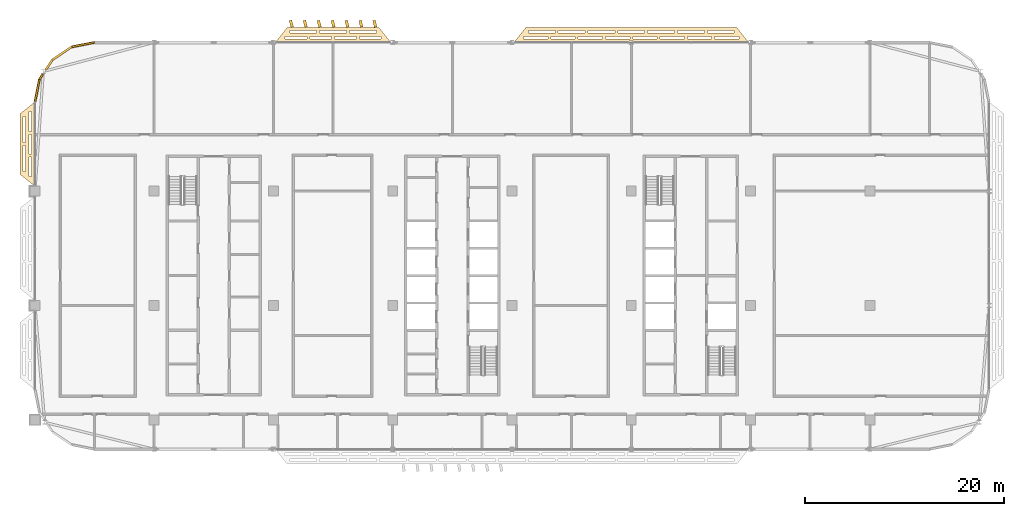
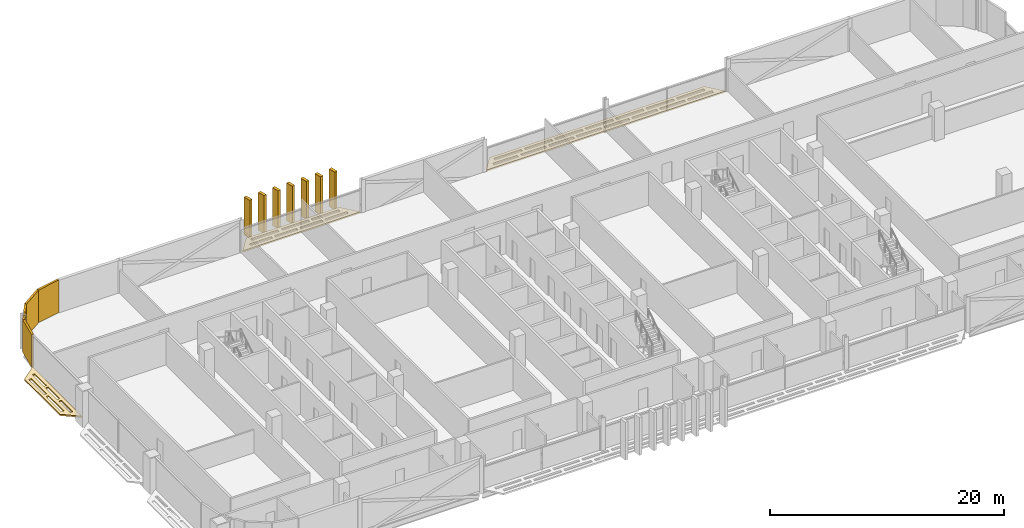
# One storey, part 31 of 33: 15 coverings.
"""IFC4 building model written with IfcOpenShell, lengths in metres."""

import ifcopenshell
import ifcopenshell.guid

model = None  # the IFC model being written
_history = None  # IfcOwnerHistory: only IFC2X3 demands one
_inside = {}  # id of a spatial element -> (the spatial element, [elements in it])
_under = {}  # id of a project, library or spatial element -> (it, [spatial elements below it])
_declared = {}  # id of a project -> (the project, [libraries it declares])
_typed = {}  # id of a type object -> (the type object, [elements of that type])
_made_of = {}  # id of a material, layer set ... -> (it, [elements and type objects made of it])


def new_model(schema):
    """Start an empty IFC model of exactly this schema.

    Asked for "IFC4X3", IfcOpenShell would pick the latest addendum, in which some entities
    have other attributes; the version numbers below select the first issue.
    IFC2X3 requires an IfcOwnerHistory on every rooted entity: one is made here for all.
    """
    global model, _history
    if schema == "IFC4X3":
        model = ifcopenshell.file(schema_version=(4, 3, 0, 0))
    else:
        model = ifcopenshell.file(schema=schema)
    _inside.clear()
    _under.clear()
    _declared.clear()
    _typed.clear()
    _made_of.clear()
    _history = None
    if model.schema == "IFC2X3":
        org = make("IfcOrganization", Name="unknown")
        user = make(
            "IfcPersonAndOrganization",
            ThePerson=make("IfcPerson", FamilyName="unknown"),
            TheOrganization=org,
        )
        app = make(
            "IfcApplication",
            ApplicationDeveloper=org,
            Version="unknown",
            ApplicationFullName="unknown",
            ApplicationIdentifier="unknown",
        )
        _history = make(
            "IfcOwnerHistory",
            OwningUser=user,
            OwningApplication=app,
            ChangeAction="ADDED",
            CreationDate=0,
        )
    return model


def make(cls, **values):
    """One entity of the class cls with the attributes given. An attribute that is None is left unset."""
    return model.create_entity(
        cls, **{name: value for name, value in values.items() if value is not None}
    )


def rooted(cls, **values):
    """An entity with a GlobalId (a new one), such as an element, a storey or a relation."""
    return make(cls, GlobalId=ifcopenshell.guid.new(), OwnerHistory=_history, **values)


def si_unit(unit_type, name, prefix=None):
    """IfcSIUnit, for example si_unit("LENGTHUNIT", "METRE", prefix="MILLI")."""
    return make("IfcSIUnit", UnitType=unit_type, Prefix=prefix, Name=name)


def assignment(units):
    """IfcUnitAssignment: the units of a project."""
    return None if units is None else make("IfcUnitAssignment", Units=units)


def point(xyz):
    """IfcCartesianPoint."""
    return None if xyz is None else make("IfcCartesianPoint", Coordinates=xyz)


def direction(xyz):
    """IfcDirection."""
    return None if xyz is None else make("IfcDirection", DirectionRatios=xyz)


def frame(location, z_axis=None, x_axis=None):
    """IfcAxis2Placement3D, a coordinate frame: its origin and axes. An axis left out is left unset."""
    return make(
        "IfcAxis2Placement3D",
        Location=point(location),
        Axis=direction(z_axis),
        RefDirection=direction(x_axis),
    )


def frame_2d(location, x_axis=None):
    """IfcAxis2Placement2D, a coordinate frame in the plane: its origin and x axis."""
    return make(
        "IfcAxis2Placement2D", Location=point(location), RefDirection=direction(x_axis)
    )


def origin():
    """The frame at (0, 0, 0) with its axes left unset."""
    return frame((0.0, 0.0, 0.0))


def origin_2d():
    """The frame at (0, 0) in the plane with its x axis left unset."""
    return frame_2d((0.0, 0.0))


def place(relative_to, where):
    """IfcLocalPlacement: puts the frame where relative to a parent placement (None: the world)."""
    return make(
        "IfcLocalPlacement", PlacementRelTo=relative_to, RelativePlacement=where
    )


def context(
    kind, dimensions, precision=None, world=None, true_north=None, identifier=None
):
    """IfcGeometricRepresentationContext, for example the 3D "Model" context."""
    return make(
        "IfcGeometricRepresentationContext",
        ContextIdentifier=identifier,
        ContextType=kind,
        CoordinateSpaceDimension=dimensions,
        Precision=precision,
        WorldCoordinateSystem=world,
        TrueNorth=true_north,
    )


def subcontext(parent, identifier, kind, view, scale=None):
    """IfcGeometricRepresentationSubContext, for example "Body" below "Model"."""
    return make(
        "IfcGeometricRepresentationSubContext",
        ContextIdentifier=identifier,
        ContextType=kind,
        ParentContext=parent,
        TargetScale=scale,
        TargetView=view,
    )


def project(units=None, contexts=None):
    """IfcProject with its units and contexts."""
    return rooted(
        "IfcProject",
        Name="project",
        RepresentationContexts=contexts,
        UnitsInContext=assignment(units),
    )


def spatial(cls, under=None, at=None, **own):
    """A site, building, storey or space (cls), placed at a placement, below another one or the project."""
    s = rooted(cls, ObjectPlacement=at, **own)
    if under is not None:
        _under.setdefault(under.id(), (under, []))[1].append(s)
    return s


def polyline(points):
    """IfcPolyline through the points."""
    return make("IfcPolyline", Points=[point(p) for p in points])


def profile(cls, at=None, kind="AREA", **sizes):
    """A parametric profile (cls). Its sizes go by their IFC names, for example OverallWidth=200.0."""
    return make(cls, ProfileType=kind, Position=at, **sizes)


def rectangle(**sizes):
    """IfcRectangleProfileDef."""
    return profile("IfcRectangleProfileDef", **sizes)


def outline(outer, holes=None, kind="AREA"):
    """IfcArbitraryClosedProfileDef: a profile drawn as a closed curve; with holes, ...WithVoids."""
    if holes is None:
        return make("IfcArbitraryClosedProfileDef", ProfileType=kind, OuterCurve=outer)
    return make(
        "IfcArbitraryProfileDefWithVoids",
        ProfileType=kind,
        OuterCurve=outer,
        InnerCurves=holes,
    )


def extrude(swept, where, along, depth):
    """IfcExtrudedAreaSolid: the profile swept, set in the frame where, extruded along a direction by depth."""
    return make(
        "IfcExtrudedAreaSolid",
        SweptArea=swept,
        Position=where,
        ExtrudedDirection=direction(along),
        Depth=depth,
    )


def shape(context_of_items, identifier, shape_type, items):
    """IfcShapeRepresentation: the items that make up one representation, for example the "Body"."""
    return make(
        "IfcShapeRepresentation",
        ContextOfItems=context_of_items,
        RepresentationIdentifier=identifier,
        RepresentationType=shape_type,
        Items=items,
    )


def material(Name=None, Category=None):
    """IfcMaterial."""
    return make("IfcMaterial", Name=Name, Category=Category)


def layer(
    of_material, thickness, ventilated=None, Name=None, Category=None, Priority=None
):
    """IfcMaterialLayer: one layer of a wall or slab, of a material (None: an air gap)."""
    return make(
        "IfcMaterialLayer",
        Material=of_material,
        LayerThickness=thickness,
        IsVentilated=ventilated,
        Name=Name,
        Category=Category,
        Priority=Priority,
    )


def layer_set(layers, Name=None):
    """IfcMaterialLayerSet."""
    return make("IfcMaterialLayerSet", MaterialLayers=layers, LayerSetName=Name)


def made_of(thing, what):
    """Note that an element or type object is made of a material, layer set ...; save() writes the relation."""
    if what is not None:
        _made_of.setdefault(what.id(), (what, []))[1].append(thing)
    return thing


def type_object(cls, material=None, **own):
    """A type object (cls), such as IfcWallType, which elements share."""
    return made_of(rooted(cls, **own), material)


def element(
    cls,
    number,
    at=None,
    inside=None,
    cuts=None,
    type_object=None,
    material=None,
    context=None,
    identifier="Body",
    shape_type=None,
    held_by="IfcProductDefinitionShape",
    body=None,
    shapes=None,
    **own,
):
    """One element of the class cls, such as IfcWall. Its Tag is "e" and its number.

    at: its placement. inside: the storey or other place that contains it. cuts: it is an
    opening in that element (IfcRelVoidsElement). A single representation is given by context,
    identifier, shape_type and body (its items); several are given by shapes. held_by: the class
    of the entity that holds the representations. save() writes the other relations.
    """
    e = rooted(cls, Tag="e%d" % number, ObjectPlacement=at, **own)
    if body is not None:
        shapes = [shape(context, identifier, shape_type, body)]
    if shapes is not None:
        e.Representation = make(held_by, Representations=shapes)
    if inside is not None:
        _inside.setdefault(inside.id(), (inside, []))[1].append(e)
    if cuts is not None:
        rooted(
            "IfcRelVoidsElement", RelatingBuildingElement=cuts, RelatedOpeningElement=e
        )
    if type_object is not None:
        _typed.setdefault(type_object.id(), (type_object, []))[1].append(e)
    return made_of(e, material)


def aggregate(whole, parts):
    """IfcRelAggregates: a whole, such as a stair, and the parts it consists of."""
    return rooted("IfcRelAggregates", RelatingObject=whole, RelatedObjects=parts)


def save(model, path):
    """Write the relations noted so far, then the file.

    IfcRelAggregates (storeys below a building ...), IfcRelContainedInSpatialStructure (elements
    in a storey), IfcRelDefinesByType, IfcRelAssociatesMaterial and IfcRelDeclares: one each for
    every whole, place, type object, material and project.
    """
    for whole, parts in _under.values():
        aggregate(whole, parts)
    for where, things in _inside.values():
        rooted(
            "IfcRelContainedInSpatialStructure",
            RelatedElements=things,
            RelatingStructure=where,
        )
    for kind, things in _typed.values():
        rooted("IfcRelDefinesByType", RelatedObjects=things, RelatingType=kind)
    for what, things in _made_of.values():
        rooted("IfcRelAssociatesMaterial", RelatedObjects=things, RelatingMaterial=what)
    for by, libraries in _declared.values():
        rooted("IfcRelDeclares", RelatingContext=by, RelatedDefinitions=libraries)
    model.write(path)


model = new_model("IFC4")

# Units and contexts
model_context = context("Model", 3, precision=1e-05, world=origin(), true_north=direction((0.0, 1.0)))
body_context = subcontext(model_context, "Body", "Model", "MODEL_VIEW")
ifc_project = project(units=[si_unit("LENGTHUNIT", "METRE"), si_unit("AREAUNIT", "SQUARE_METRE"), si_unit("VOLUMEUNIT", "CUBIC_METRE"), si_unit("PLANEANGLEUNIT", "RADIAN"), si_unit("MASSUNIT", "GRAM", prefix="KILO")], contexts=[model_context])

# Site, building, storey
site_placement = place(None, origin())
site = spatial("IfcSite", under=ifc_project, at=site_placement, CompositionType="ELEMENT")
building_placement = place(site_placement, origin())
building = spatial("IfcBuilding", under=site, at=building_placement, Name="Mahtab Terrace Research Tower", CompositionType="ELEMENT")
storey_placement = place(building_placement, frame((0.0, 0.0, 255.199951171875)))
storey = spatial("IfcBuildingStorey", under=building, at=storey_placement, Name="L62", CompositionType="ELEMENT", Elevation=255.199951171875)

# Coverings
ifc_material_1 = material(Name="Black aluminium cladding panel", Category="aluminium")
ifc_layer_1 = layer(ifc_material_1, 0.199951171875)
ifc_layer_set_1 = layer_set([ifc_layer_1], Name="Black metal corner cladding 200")
covering_type_1 = type_object("IfcCoveringType", Name="Black metal corner cladding 200", PredefinedType="CLADDING", material=ifc_layer_set_1)
for number, where, z_axis, x_axis, name in (
    (1, (-37.14794921875, 26.244384765625, 0.0), (0.0, 0.0, 1.0), (-0.980760981187, -0.195212442692, 0.0), "Corner cladding L62 12"),
    (2, (-39.26953125, 25.365966796875, 0.0), (0.0, 0.0, 1.0), (-0.831655794326, -0.555291490808, 0.0), "Corner cladding L62 13"),
):
    element("IfcCovering", number, at=place(storey_placement, frame(where, z_axis=z_axis, x_axis=x_axis)), inside=storey, type_object=covering_type_1, Name=name, PredefinedType="CLADDING", context=body_context, shape_type="SweptSolid", body=[
        extrude(rectangle(XDim=2.30126953125, YDim=0.199951171875, at=origin_2d()), origin(), (0.0, 0.0, 1.0), 3.39990234375),
    ])
covering_1_placement = place(storey_placement, frame((-40.584716796875, 24.2041015625, 0.0), z_axis=(0.0, 0.0, 1.0), x_axis=(-0.555291490808, -0.831655794326, 0.0)))
element("IfcCovering", 3, at=covering_1_placement, inside=storey, type_object=covering_type_1, Name="Corner cladding L62 14", PredefinedType="CLADDING", context=body_context, shape_type="SweptSolid", body=[
    extrude(rectangle(XDim=1.19140625, YDim=0.199951171875, at=origin_2d()), origin(), (0.0, 0.0, 1.0), 3.39990234375),
])
covering_2_placement = place(storey_placement, frame((-41.372314453125, 23.0244140625, 0.0), z_axis=(0.0, 0.0, 1.0), x_axis=(-0.555291490808, -0.831655794326, 0.0)))
element("IfcCovering", 4, at=covering_2_placement, inside=storey, type_object=covering_type_1, Name="Corner cladding L62 15", PredefinedType="CLADDING", context=body_context, shape_type="SweptSolid", body=[
    extrude(rectangle(XDim=0.57470703125, YDim=0.199951171875, at=origin_2d()), origin(), (0.0, 0.0, 1.0), 3.39990234375),
])
covering_3_placement = place(storey_placement, frame((-41.771484375, 21.62109375, 0.0), z_axis=(0.0, 0.0, 1.0), x_axis=(-0.195212442692, -0.980760981187, 0.0)))
element("IfcCovering", 5, at=covering_3_placement, inside=storey, type_object=covering_type_1, Name="Corner cladding L62 16", PredefinedType="CLADDING", context=body_context, shape_type="SweptSolid", body=[
    extrude(rectangle(XDim=2.30126953125, YDim=0.199951171875, at=origin_2d()), origin(), (0.0, 0.0, 1.0), 3.39990234375),
])
ifc_material_2 = material(Name="Black anodised aluminium", Category="aluminium")
ifc_layer_2 = layer(ifc_material_2, 0.14990234375)
ifc_layer_set_2 = layer_set([ifc_layer_2], Name="Horizontal sunshade band")
covering_type_2 = type_object("IfcCoveringType", Name="Horizontal sunshade band", PredefinedType="CLADDING", material=ifc_layer_set_2)
covering_4_placement = place(storey_placement, frame((0.0, 0.0, -0.14990234375)))
element("IfcCovering", 6, at=covering_4_placement, inside=storey, type_object=covering_type_2, Name="Sunshade band L62 6", PredefinedType="CLADDING", context=body_context, shape_type="SweptSolid", body=[
    extrude(outline(polyline([(29.806884765625, 26.472900390625), (6.193115234375, 26.472900390625), (7.39306640625, 27.972900390625), (28.60693359375, 27.972900390625), (29.806884765625, 26.472900390625)]), holes=[polyline([(28.826904296875, 26.822998046875), (26.383056640625, 26.822998046875), (26.383056640625, 27.072998046875), (28.826904296875, 27.072998046875), (28.826904296875, 26.822998046875)]), polyline([(26.0830078125, 26.822998046875), (23.637939453125, 26.822998046875), (23.637939453125, 27.072998046875), (26.0830078125, 27.072998046875), (26.0830078125, 26.822998046875)]), polyline([(23.337890625, 26.822998046875), (20.89404296875, 26.822998046875), (20.89404296875, 27.072998046875), (23.337890625, 27.072998046875), (23.337890625, 26.822998046875)]), polyline([(20.593994140625, 26.822998046875), (18.14990234375, 26.822998046875), (18.14990234375, 27.072998046875), (20.593994140625, 27.072998046875), (20.593994140625, 26.822998046875)]), polyline([(17.85009765625, 26.822998046875), (15.406005859375, 26.822998046875), (15.406005859375, 27.072998046875), (17.85009765625, 27.072998046875), (17.85009765625, 26.822998046875)]), polyline([(15.10595703125, 26.822998046875), (12.662109375, 26.822998046875), (12.662109375, 27.072998046875), (15.10595703125, 27.072998046875), (15.10595703125, 26.822998046875)]), polyline([(12.361083984375, 26.822998046875), (9.9169921875, 26.822998046875), (9.9169921875, 27.072998046875), (12.361083984375, 27.072998046875), (12.361083984375, 26.822998046875)]), polyline([(9.616943359375, 26.822998046875), (7.173095703125, 26.822998046875), (7.173095703125, 27.072998046875), (9.616943359375, 27.072998046875), (9.616943359375, 26.822998046875)]), polyline([(28.346923828125, 27.423095703125), (25.64794921875, 27.423095703125), (25.64794921875, 27.673095703125), (28.346923828125, 27.673095703125), (28.346923828125, 27.423095703125)]), polyline([(25.347900390625, 27.423095703125), (22.64892578125, 27.423095703125), (22.64892578125, 27.673095703125), (25.347900390625, 27.673095703125), (25.347900390625, 27.423095703125)]), polyline([(22.34912109375, 27.423095703125), (19.64990234375, 27.423095703125), (19.64990234375, 27.673095703125), (22.34912109375, 27.673095703125), (22.34912109375, 27.423095703125)]), polyline([(19.35009765625, 27.423095703125), (16.64990234375, 27.423095703125), (16.64990234375, 27.673095703125), (19.35009765625, 27.673095703125), (19.35009765625, 27.423095703125)]), polyline([(16.35009765625, 27.423095703125), (13.65087890625, 27.423095703125), (13.65087890625, 27.673095703125), (16.35009765625, 27.673095703125), (16.35009765625, 27.423095703125)]), polyline([(13.35107421875, 27.423095703125), (10.652099609375, 27.423095703125), (10.652099609375, 27.673095703125), (13.35107421875, 27.673095703125), (13.35107421875, 27.423095703125)]), polyline([(10.35205078125, 27.423095703125), (7.653076171875, 27.423095703125), (7.653076171875, 27.673095703125), (10.35205078125, 27.673095703125), (10.35205078125, 27.423095703125)])]), origin(), (0.0, 0.0, 1.0), 0.14990234375),
])
covering_5_placement = place(storey_placement, frame((0.0, 0.0, -0.14990234375)))
element("IfcCovering", 7, at=covering_5_placement, inside=storey, type_object=covering_type_2, Name="Sunshade band L62 9", PredefinedType="CLADDING", context=body_context, shape_type="SweptSolid", body=[
    extrude(outline(polyline([(-6.193115234375, 26.472900390625), (-17.806884765625, 26.472900390625), (-16.60693359375, 27.972900390625), (-7.39306640625, 27.972900390625), (-6.193115234375, 26.472900390625)]), holes=[polyline([(-7.173095703125, 26.822998046875), (-9.361083984375, 26.822998046875), (-9.361083984375, 27.072998046875), (-7.173095703125, 27.072998046875), (-7.173095703125, 26.822998046875)]), polyline([(-9.660888671875, 26.822998046875), (-11.85009765625, 26.822998046875), (-11.85009765625, 27.072998046875), (-9.660888671875, 27.072998046875), (-9.660888671875, 26.822998046875)]), polyline([(-12.14990234375, 26.822998046875), (-14.337890625, 26.822998046875), (-14.337890625, 27.072998046875), (-12.14990234375, 27.072998046875), (-12.14990234375, 26.822998046875)]), polyline([(-14.637939453125, 26.822998046875), (-16.826904296875, 26.822998046875), (-16.826904296875, 27.072998046875), (-14.637939453125, 27.072998046875), (-14.637939453125, 26.822998046875)]), polyline([(-7.653076171875, 27.423095703125), (-10.35107421875, 27.423095703125), (-10.35107421875, 27.673095703125), (-7.653076171875, 27.673095703125), (-7.653076171875, 27.423095703125)]), polyline([(-10.65087890625, 27.423095703125), (-13.34912109375, 27.423095703125), (-13.34912109375, 27.673095703125), (-10.65087890625, 27.673095703125), (-10.65087890625, 27.423095703125)]), polyline([(-13.64892578125, 27.423095703125), (-16.346923828125, 27.423095703125), (-16.346923828125, 27.673095703125), (-13.64892578125, 27.673095703125), (-13.64892578125, 27.423095703125)])]), origin(), (0.0, 0.0, 1.0), 0.14990234375),
])
covering_6_placement = place(storey_placement, frame((0.0, 0.0, -0.14990234375)))
element("IfcCovering", 8, at=covering_6_placement, inside=storey, type_object=covering_type_2, Name="Sunshade band L62 17", PredefinedType="CLADDING", context=body_context, shape_type="SweptSolid", body=[
    extrude(outline(polyline([(-42.0, 20.472900390625), (-42.0, 12.0), (-43.5, 13.199951171875), (-43.5, 19.27294921875), (-42.0, 20.472900390625)]), holes=[polyline([(-42.35009765625, 19.492919921875), (-42.35009765625, 17.52197265625), (-42.60009765625, 17.52197265625), (-42.60009765625, 19.492919921875), (-42.35009765625, 19.492919921875)]), polyline([(-42.35009765625, 17.221923828125), (-42.35009765625, 15.2509765625), (-42.60009765625, 15.2509765625), (-42.60009765625, 17.221923828125), (-42.35009765625, 17.221923828125)]), polyline([(-42.35009765625, 14.950927734375), (-42.35009765625, 12.97998046875), (-42.60009765625, 12.97998046875), (-42.60009765625, 14.950927734375), (-42.35009765625, 14.950927734375)]), polyline([(-42.949951171875, 19.012939453125), (-42.949951171875, 16.385986328125), (-43.199951171875, 16.385986328125), (-43.199951171875, 19.012939453125), (-42.949951171875, 19.012939453125)]), polyline([(-42.949951171875, 16.0869140625), (-42.949951171875, 13.4599609375), (-43.199951171875, 13.4599609375), (-43.199951171875, 16.0869140625), (-42.949951171875, 16.0869140625)])]), origin(), (0.0, 0.0, 1.0), 0.14990234375),
])
ifc_material_3 = material(Name="Bronze anodised aluminium", Category="aluminium")
ifc_layer_3 = layer(ifc_material_3, 0.1201171875)
ifc_layer_set_3 = layer_set([ifc_layer_3], Name="Vertical fin 700")
covering_type_3 = type_object("IfcCoveringType", Name="Vertical fin 700", PredefinedType="CLADDING", material=ifc_layer_set_3)
for number, where, z_axis, x_axis, name in (
    (9, (-7.800048828125, 28.345703125, -0.14990234375), (0.0, 0.0, 1.0), (-0.973236201459, -0.22980708468, 0.0), "Fin L62 N1"),
    (10, (-9.199951171875, 28.34619140625, -0.14990234375), (0.0, 0.0, 1.0), (-0.971882775364, -0.235465222381, 0.0), "Fin L62 N2"),
    (11, (-10.60009765625, 28.346435546875, -0.14990234375), (0.0, 0.0, 1.0), (-0.970496454648, -0.24111539046, 0.0), "Fin L62 N3"),
    (12, (-12.0, 28.3466796875, -0.14990234375), (0.0, 0.0, 1.0), (-0.969077286228, -0.246757397695, 0.0), "Fin L62 N4"),
    (13, (-13.39990234375, 28.346923828125, -0.14990234375), (0.0, 0.0, 1.0), (-0.967625318147, -0.252391053092, 0.0), "Fin L62 N5"),
    (14, (-14.800048828125, 28.34716796875, -0.14990234375), (0.0, 0.0, 1.0), (-0.966140599544, -0.25801616599, 0.0), "Fin L62 N6"),
    (15, (-16.199951171875, 28.347412109375, -0.14990234375), (0.0, 0.0, 1.0), (-0.964623180667, -0.263632546017, 0.0), "Fin L62 N7"),
):
    element("IfcCovering", number, at=place(storey_placement, frame(where, z_axis=z_axis, x_axis=x_axis)), inside=storey, type_object=covering_type_3, Name=name, PredefinedType="CLADDING", context=body_context, shape_type="SweptSolid", body=[
        extrude(rectangle(XDim=0.280029296875, YDim=0.699951171875, at=origin_2d()), origin(), (0.0, 0.0, 1.0), 3.949951171875),
    ])

save(model, "model.ifc")
